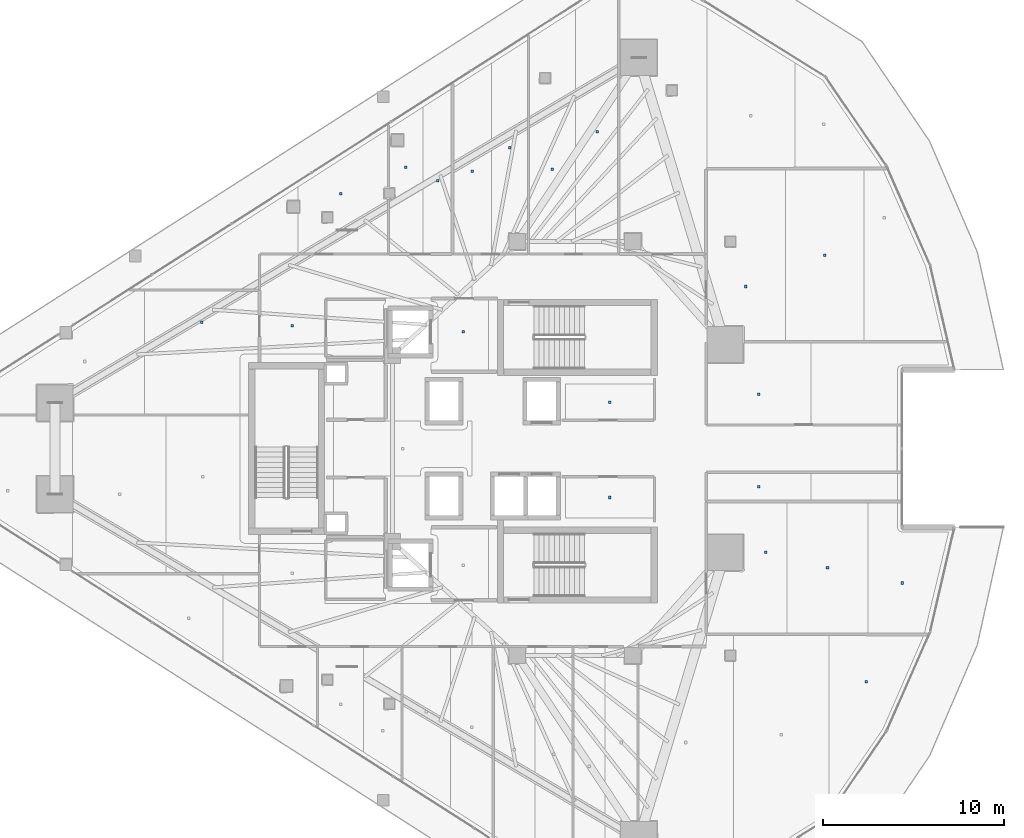
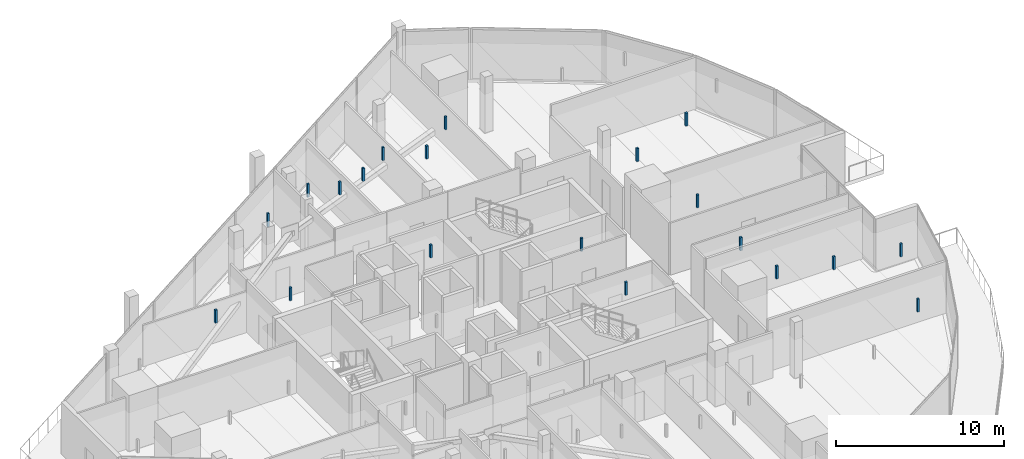
# One storey, part 35 of 43: 20 discrete accessories.
"""IFC4 building model written with IfcOpenShell, lengths in metres."""

from ifc_helpers import new_model, si_unit, direction, frame, origin, origin_2d, place, context, subcontext, project, spatial, rectangle, extrude, material, type_object, element, save


model = new_model("IFC4")

# Units and contexts
model_context = context("Model", 3, precision=1e-05, world=origin(), true_north=direction((0.0, 1.0)))
body_context = subcontext(model_context, "Body", "Model", "MODEL_VIEW")
ifc_project = project(units=[si_unit("LENGTHUNIT", "METRE"), si_unit("AREAUNIT", "SQUARE_METRE"), si_unit("VOLUMEUNIT", "CUBIC_METRE"), si_unit("PLANEANGLEUNIT", "RADIAN"), si_unit("MASSUNIT", "GRAM", prefix="KILO")], contexts=[model_context])

# Site, building, storey
site_placement = place(None, origin())
site = spatial("IfcSite", under=ifc_project, at=site_placement, CompositionType="ELEMENT")
building_placement = place(site_placement, origin())
building = spatial("IfcBuilding", under=site, at=building_placement, Name="Qorvath Tower", CompositionType="ELEMENT")
storey_placement = place(building_placement, frame((0.0, 0.0, 213.14990234375)))
storey = spatial("IfcBuildingStorey", under=building, at=storey_placement, Name="L49", CompositionType="ELEMENT", Elevation=213.14990234375)

# Discrete accessories
ifc_material = material(Name="Galvanised steel bracket", Category="steel")
discrete_accessory_type = type_object("IfcDiscreteAccessoryType", Name="DA-BRACKET", PredefinedType="BRACKET", material=ifc_material)
for number, where, z_axis, x_axis, name in (
    (1, (-26.590087890625, 6.449951171875, 2.85986328125), (0.0, 0.0, 1.0), (1.0, 0.0, 0.0), "Acoustic Ceiling Suspension Hanger T1-L49-001"),
    (2, (-18.472412109375, 2.5625, 2.85986328125), (0.0, 0.0, 1.0), (1.0, 0.0, 0.0), "Acoustic Ceiling Suspension Hanger T1-L49-003"),
    (3, (-18.472412109375, -2.70751953125, 2.85986328125), (0.0, 0.0, 1.0), (1.0, 0.0, 0.0), "Acoustic Ceiling Suspension Hanger T1-L49-004"),
    (4, (-36.040283203125, 6.782470703125, 2.85986328125), (0.0, 0.0, 1.0), (1.0, 0.0, 0.0), "Acoustic Ceiling Suspension Hanger T1-L49-010"),
    (5, (-33.359130859375, 14.10302734375, 2.85986328125), (0.0, 0.0, 1.0), (1.0, 0.0, 0.0), "Acoustic Ceiling Suspension Hanger T1-L49-013"),
    (6, (-29.765869140625, 15.56689453125, 2.85986328125), (0.0, 0.0, 1.0), (1.0, 0.0, 0.0), "Acoustic Ceiling Suspension Hanger T1-L49-014"),
    (7, (-28.00537109375, 14.82568359375, 2.85986328125), (0.0, 0.0, 1.0), (1.0, 0.0, 0.0), "Acoustic Ceiling Suspension Hanger T1-L49-015"),
    (8, (-26.094482421875, 15.354736328125, 2.85986328125), (0.0, 0.0, 1.0), (1.0, 0.0, 0.0), "Acoustic Ceiling Suspension Hanger T1-L49-016"),
    (9, (-24.003173828125, 16.630859375, 2.85986328125), (0.0, 0.0, 1.0), (1.0, 0.0, 0.0), "Acoustic Ceiling Suspension Hanger T1-L49-017"),
    (10, (-21.668212890625, 15.46142578125, 2.85986328125), (0.0, 0.0, 1.0), (1.0, 0.0, 0.0), "Acoustic Ceiling Suspension Hanger T1-L49-018"),
    (11, (-19.177490234375, 17.52783203125, 2.85986328125), (0.0, 0.0, 1.0), (1.0, 0.0, 0.0), "Acoustic Ceiling Suspension Hanger T1-L49-019"),
    (12, (-4.2900390625, -12.900390625, 2.85986328125), (0.0, 0.0, 1.0), (1.0, 0.0, 0.0), "Acoustic Ceiling Suspension Hanger T1-L49-033"),
    (13, (-9.856201171875, -5.736572265625, 2.85986328125), (0.0, 0.0, 1.0), (1.0, 0.0, 0.0), "Acoustic Ceiling Suspension Hanger T1-L49-034"),
    (14, (-6.431884765625, -6.596923828125, 2.85986328125), (0.0, 0.0, 1.0), (1.0, 0.0, 0.0), "Acoustic Ceiling Suspension Hanger T1-L49-035"),
    (15, (-2.2998046875, -7.438720703125, 2.85986328125), (0.0, 0.0, 1.0), (1.0, 0.0, 0.0), "Acoustic Ceiling Suspension Hanger T1-L49-036"),
    (16, (-10.23974609375, 3.013671875, 2.85986328125), (0.0, 0.0, 1.0), (1.0, 0.0, 0.0), "Acoustic Ceiling Suspension Hanger T1-L49-037"),
    (17, (-10.23974609375, -2.113037109375, 2.85986328125), (0.0, 0.0, 1.0), (1.0, 0.0, 0.0), "Acoustic Ceiling Suspension Hanger T1-L49-038"),
    (18, (-10.949951171875, 8.966552734375, 2.85986328125), (0.0, 0.0, 1.0), (1.0, 0.0, 0.0), "Acoustic Ceiling Suspension Hanger T1-L49-040"),
    (19, (-6.583740234375, 10.694580078125, 2.85986328125), (0.0, 0.0, 1.0), (1.0, 0.0, 0.0), "Acoustic Ceiling Suspension Hanger T1-L49-041"),
    (20, (-41.04833984375, 6.995849609375, 2.85986328125), (0.0, 0.0, 1.0), (1.0, 0.0, 0.0), "Acoustic Ceiling Suspension Hanger T1-L49-049"),
):
    element("IfcDiscreteAccessory", number, at=place(storey_placement, frame(where, z_axis=z_axis, x_axis=x_axis)), inside=storey, type_object=discrete_accessory_type, Name=name, PredefinedType="NOTDEFINED", context=body_context, shape_type="SweptSolid", body=[
        extrude(rectangle(XDim=0.139892578125, YDim=0.139892578125, at=origin_2d()), origin(), (0.0, 0.0, 1.0), 0.949951171875),
    ])

save(model, "model.ifc")
